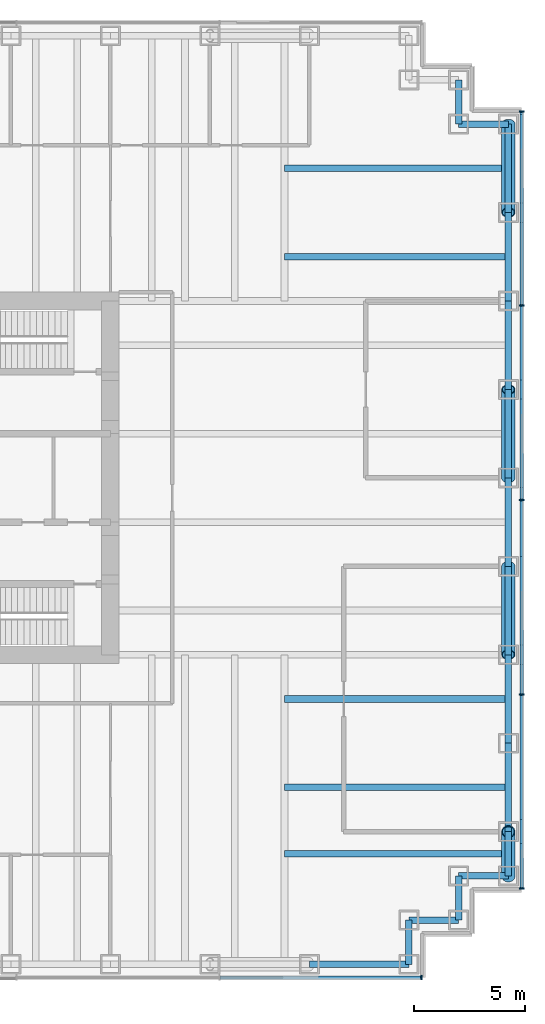
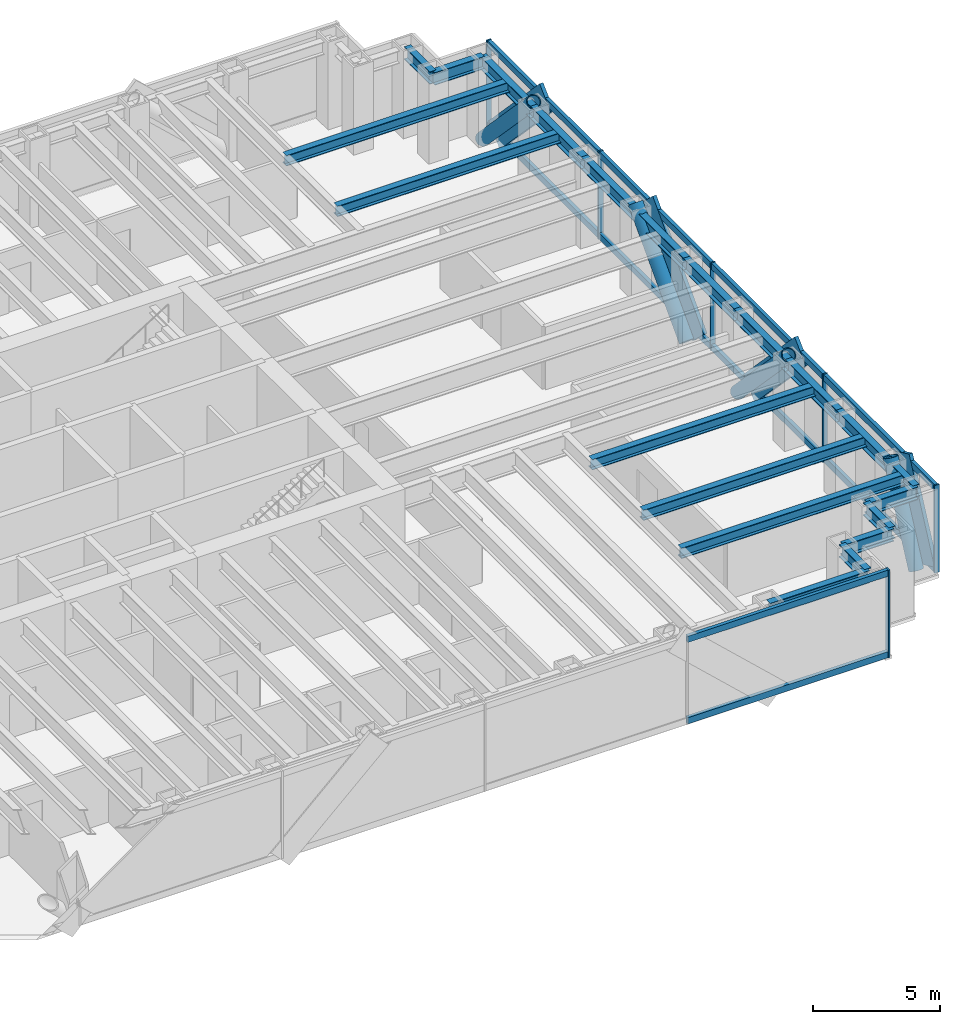
# One storey, part 8 of 16: 24 members, 21 beams, 2 elements without a shape of their own.
"""IFC4 building model written with IfcOpenShell, lengths in metres."""

from ifc_helpers import new_model, si_unit, direction, frame, origin, origin_2d, place, context, subcontext, project, spatial, rectangle, hollow_circle, i_section, extrude, material, material_profile, profile_set, type_object, element, aggregate, save


model = new_model("IFC4")

# Units and contexts
model_context = context("Model", 3, precision=1e-05, world=origin(), true_north=direction((0.0, 1.0)))
body_context = subcontext(model_context, "Body", "Model", "MODEL_VIEW")
ifc_project = project(units=[si_unit("LENGTHUNIT", "METRE"), si_unit("AREAUNIT", "SQUARE_METRE"), si_unit("VOLUMEUNIT", "CUBIC_METRE"), si_unit("PLANEANGLEUNIT", "RADIAN"), si_unit("MASSUNIT", "GRAM", prefix="KILO")], contexts=[model_context])

# Site, building, storey
site_placement = place(None, origin())
site = spatial("IfcSite", under=ifc_project, at=site_placement, CompositionType="ELEMENT")
building_placement = place(site_placement, origin())
building = spatial("IfcBuilding", under=site, at=building_placement, Name="Rheinbord Bourse Tower", CompositionType="ELEMENT")
storey_placement = place(building_placement, frame((0.0, 0.0, 219.39990234375)))
storey = spatial("IfcBuildingStorey", under=building, at=storey_placement, Name="L49", CompositionType="ELEMENT", Elevation=219.39990234375)

# Curtain wall, members
ifc_material_1 = material(Name="Dark glass and black aluminium", Category="aluminium")
curtain_wall_type = type_object("IfcCurtainWallType", Name="CW2 DARK GLASS CURTAIN WALL", PredefinedType="USERDEFINED", material=ifc_material_1)
curtain_wall_1_placement = place(storey_placement, origin())
curtain_wall_1 = element("IfcCurtainWall", 1, at=curtain_wall_1_placement, inside=storey, type_object=curtain_wall_type, Name="Curtain wall CW2 E L49", ObjectType="UNITISED CURTAIN WALL", PredefinedType="USERDEFINED")
ifc_material_2 = material(Name="Black anodised aluminium", Category="aluminium")
ifc_material_profile_1 = material_profile(ifc_material_2, rectangle(XDim=0.159912109375, YDim=1.2099609375, at=origin_2d()), Name="CW2 DIAGONAL MULLION 1210x160")
ifc_profile_set_1 = profile_set([ifc_material_profile_1], Name="Black anodised aluminium")
member_type_1 = type_object("IfcMemberType", Name="CW2 BLACK DIAGONAL MULLION", PredefinedType="USERDEFINED", material=ifc_profile_set_1)
member_1_placement = place(storey_placement, frame((72.60009765625, 20.0, 0.0), z_axis=(0.0, -0.689638355374, 0.72415394689), x_axis=(1.0, 0.0, 0.0)))
member_1 = element("IfcMember", 2, at=member_1_placement, type_object=member_type_1, Name="CW2 diagonal mullion a", ObjectType="DIAGONAL MULLION", PredefinedType="USERDEFINED", context=body_context, shape_type="SweptSolid", body=[
    extrude(rectangle(XDim=0.159912109375, YDim=1.2099609375, at=origin_2d()), origin(), (0.0, 0.0, 1.0), 5.800048828125),
])
member_2_placement = place(storey_placement, frame((72.60009765625, 24.0, 0.0), z_axis=(0.0, 0.689638355374, 0.72415394689), x_axis=(-1.0, 0.0, 0.0)))
member_2 = element("IfcMember", 3, at=member_2_placement, type_object=member_type_1, Name="CW2 diagonal mullion b", ObjectType="DIAGONAL MULLION", PredefinedType="USERDEFINED", context=body_context, shape_type="SweptSolid", body=[
    extrude(rectangle(XDim=0.159912109375, YDim=1.2099609375, at=origin_2d()), origin(), (0.0, 0.0, 1.0), 5.800048828125),
])
member_3_placement = place(storey_placement, frame((72.60009765625, 6.0, 0.0), z_axis=(0.0, 0.429917283348, 0.902868279141), x_axis=(-1.0, 0.0, 0.0)))
member_3 = element("IfcMember", 4, at=member_3_placement, type_object=member_type_1, Name="CW2 diagonal mullion c", ObjectType="DIAGONAL MULLION", PredefinedType="USERDEFINED", context=body_context, shape_type="SweptSolid", body=[
    extrude(rectangle(XDim=0.159912109375, YDim=1.2099609375, at=origin_2d()), origin(), (0.0, 0.0, 1.0), 4.652099609375),
])
member_4_placement = place(storey_placement, frame((72.60009765625, 40.0, 0.0), z_axis=(0.0, -0.689638355374, 0.72415394689), x_axis=(1.0, 0.0, 0.0)))
member_4 = element("IfcMember", 5, at=member_4_placement, type_object=member_type_1, Name="CW2 diagonal mullion d", ObjectType="DIAGONAL MULLION", PredefinedType="USERDEFINED", context=body_context, shape_type="SweptSolid", body=[
    extrude(rectangle(XDim=0.159912109375, YDim=1.2099609375, at=origin_2d()), origin(), (0.0, 0.0, 1.0), 5.800048828125),
])

# Curtain wall, member
curtain_wall_2_placement = place(storey_placement, origin())
curtain_wall_2 = element("IfcCurtainWall", 6, at=curtain_wall_2_placement, inside=storey, type_object=curtain_wall_type, Name="Curtain wall CW2 S L49", ObjectType="UNITISED CURTAIN WALL", PredefinedType="USERDEFINED")
ifc_material_3 = material(Name="Black anodised aluminium", Category="aluminium")
ifc_material_profile_2 = material_profile(ifc_material_3, rectangle(XDim=0.219970703125, YDim=0.070068359375, at=origin_2d()), Name="CW2 MULLION 70x220")
ifc_profile_set_2 = profile_set([ifc_material_profile_2], Name="Black anodised aluminium")
member_type_2 = type_object("IfcMemberType", Name="CW2 BLACK MULLION", PredefinedType="MULLION", material=ifc_profile_set_2)
member_5_placement = place(storey_placement, frame((68.06494140625, 1.39990234375, 0.0), z_axis=(0.0, 0.0, 1.0), x_axis=(0.0, 1.0, 0.0)))
member_5 = element("IfcMember", 7, at=member_5_placement, type_object=member_type_2, Name="CW2 mullion 8", PredefinedType="MULLION", context=body_context, shape_type="SweptSolid", body=[
    extrude(rectangle(XDim=0.219970703125, YDim=0.070068359375, at=origin_2d()), origin(), (0.0, 0.0, 1.0), 4.2001953125),
])

# Member
member_6_placement = place(storey_placement, frame((72.60009765625, 5.43505859375, 0.0), z_axis=(0.0, 0.0, 1.0), x_axis=(-1.0, 0.0, 0.0)))
member_6 = element("IfcMember", 8, at=member_6_placement, type_object=member_type_2, Name="CW2 mullion 1", PredefinedType="MULLION", context=body_context, shape_type="SweptSolid", body=[
    extrude(rectangle(XDim=0.219970703125, YDim=0.070068359375, at=origin_2d()), origin(), (0.0, 0.0, 1.0), 4.2001953125),
])

member_7_placement = place(storey_placement, frame((72.60009765625, 14.199951171875, 0.0), z_axis=(0.0, 0.0, 1.0), x_axis=(-1.0, 0.0, 0.0)))
member_7 = element("IfcMember", 9, at=member_7_placement, type_object=member_type_2, Name="CW2 mullion 2", PredefinedType="MULLION", context=body_context, shape_type="SweptSolid", body=[
    extrude(rectangle(XDim=0.219970703125, YDim=0.070068359375, at=origin_2d()), origin(), (0.0, 0.0, 1.0), 4.2001953125),
])

member_8_placement = place(storey_placement, frame((72.60009765625, 23.0, 0.0), z_axis=(0.0, 0.0, 1.0), x_axis=(-1.0, 0.0, 0.0)))
member_8 = element("IfcMember", 10, at=member_8_placement, type_object=member_type_2, Name="CW2 mullion 3", PredefinedType="MULLION", context=body_context, shape_type="SweptSolid", body=[
    extrude(rectangle(XDim=0.219970703125, YDim=0.070068359375, at=origin_2d()), origin(), (0.0, 0.0, 1.0), 4.2001953125),
])

member_9_placement = place(storey_placement, frame((72.60009765625, 31.800048828125, 0.0), z_axis=(0.0, 0.0, 1.0), x_axis=(-1.0, 0.0, 0.0)))
member_9 = element("IfcMember", 11, at=member_9_placement, type_object=member_type_2, Name="CW2 mullion 4", PredefinedType="MULLION", context=body_context, shape_type="SweptSolid", body=[
    extrude(rectangle(XDim=0.219970703125, YDim=0.070068359375, at=origin_2d()), origin(), (0.0, 0.0, 1.0), 4.2001953125),
])

member_10_placement = place(storey_placement, frame((72.60009765625, 40.56494140625, 0.0), z_axis=(0.0, 0.0, 1.0), x_axis=(-1.0, 0.0, 0.0)))
member_10 = element("IfcMember", 12, at=member_10_placement, type_object=member_type_2, Name="CW2 mullion 5", PredefinedType="MULLION", context=body_context, shape_type="SweptSolid", body=[
    extrude(rectangle(XDim=0.219970703125, YDim=0.070068359375, at=origin_2d()), origin(), (0.0, 0.0, 1.0), 4.2001953125),
])

ifc_material_4 = material(Name="Black anodised aluminium", Category="aluminium")
ifc_material_profile_3 = material_profile(ifc_material_4, rectangle(XDim=0.159912109375, YDim=0.300048828125, at=origin_2d()), Name="CW2 TRANSOM 300x160")
ifc_profile_set_3 = profile_set([ifc_material_profile_3], Name="Black anodised aluminium")
member_type_3 = type_object("IfcMemberType", Name="CW2 BLACK TRANSOM", PredefinedType="USERDEFINED", material=ifc_profile_set_3)
member_11_placement = place(storey_placement, frame((58.963623046875, 1.39990234375, 0.150146484375), z_axis=(1.0, 0.0, 0.0), x_axis=(0.0, 1.0, 0.0)))
member_11 = element("IfcMember", 13, at=member_11_placement, type_object=member_type_3, Name="CW2 transom 7.1", ObjectType="TRANSOM", PredefinedType="USERDEFINED", context=body_context, shape_type="SweptSolid", body=[
    extrude(rectangle(XDim=0.159912109375, YDim=0.300048828125, at=origin_2d()), origin(), (0.0, 0.0, 1.0), 9.06640625),
])

member_12_placement = place(storey_placement, frame((58.963623046875, 1.39990234375, 4.050048828125), z_axis=(1.0, 0.0, 0.0), x_axis=(0.0, 1.0, 0.0)))
member_12 = element("IfcMember", 14, at=member_12_placement, type_object=member_type_3, Name="CW2 transom 7.2", ObjectType="TRANSOM", PredefinedType="USERDEFINED", context=body_context, shape_type="SweptSolid", body=[
    extrude(rectangle(XDim=0.159912109375, YDim=0.300048828125, at=origin_2d()), origin(), (0.0, 0.0, 1.0), 9.06640625),
])

aggregate(curtain_wall_2, [member_5, member_11, member_12])

member_13_placement = place(storey_placement, frame((72.60009765625, 5.469970703125, 0.150146484375), z_axis=(0.0, 1.0, 0.0), x_axis=(-1.0, 0.0, 0.0)))
member_13 = element("IfcMember", 15, at=member_13_placement, type_object=member_type_3, Name="CW2 transom 1.1", ObjectType="TRANSOM", PredefinedType="USERDEFINED", context=body_context, shape_type="SweptSolid", body=[
    extrude(rectangle(XDim=0.159912109375, YDim=0.300048828125, at=origin_2d()), origin(), (0.0, 0.0, 1.0), 8.695068359375),
])

member_14_placement = place(storey_placement, frame((72.60009765625, 5.469970703125, 4.050048828125), z_axis=(0.0, 1.0, 0.0), x_axis=(-1.0, 0.0, 0.0)))
member_14 = element("IfcMember", 16, at=member_14_placement, type_object=member_type_3, Name="CW2 transom 1.2", ObjectType="TRANSOM", PredefinedType="USERDEFINED", context=body_context, shape_type="SweptSolid", body=[
    extrude(rectangle(XDim=0.159912109375, YDim=0.300048828125, at=origin_2d()), origin(), (0.0, 0.0, 1.0), 8.695068359375),
])

member_15_placement = place(storey_placement, frame((72.60009765625, 14.235107421875, 0.150146484375), z_axis=(0.0, 1.0, 0.0), x_axis=(-1.0, 0.0, 0.0)))
member_15 = element("IfcMember", 17, at=member_15_placement, type_object=member_type_3, Name="CW2 transom 2.1", ObjectType="TRANSOM", PredefinedType="USERDEFINED", context=body_context, shape_type="SweptSolid", body=[
    extrude(rectangle(XDim=0.159912109375, YDim=0.300048828125, at=origin_2d()), origin(), (0.0, 0.0, 1.0), 8.72998046875),
])

member_16_placement = place(storey_placement, frame((72.60009765625, 14.235107421875, 4.050048828125), z_axis=(0.0, 1.0, 0.0), x_axis=(-1.0, 0.0, 0.0)))
member_16 = element("IfcMember", 18, at=member_16_placement, type_object=member_type_3, Name="CW2 transom 2.2", ObjectType="TRANSOM", PredefinedType="USERDEFINED", context=body_context, shape_type="SweptSolid", body=[
    extrude(rectangle(XDim=0.159912109375, YDim=0.300048828125, at=origin_2d()), origin(), (0.0, 0.0, 1.0), 8.72998046875),
])

member_17_placement = place(storey_placement, frame((72.60009765625, 23.034912109375, 0.150146484375), z_axis=(0.0, 1.0, 0.0), x_axis=(-1.0, 0.0, 0.0)))
member_17 = element("IfcMember", 19, at=member_17_placement, type_object=member_type_3, Name="CW2 transom 3.1", ObjectType="TRANSOM", PredefinedType="USERDEFINED", context=body_context, shape_type="SweptSolid", body=[
    extrude(rectangle(XDim=0.159912109375, YDim=0.300048828125, at=origin_2d()), origin(), (0.0, 0.0, 1.0), 8.72998046875),
])

member_18_placement = place(storey_placement, frame((72.60009765625, 23.034912109375, 4.050048828125), z_axis=(0.0, 1.0, 0.0), x_axis=(-1.0, 0.0, 0.0)))
member_18 = element("IfcMember", 20, at=member_18_placement, type_object=member_type_3, Name="CW2 transom 3.2", ObjectType="TRANSOM", PredefinedType="USERDEFINED", context=body_context, shape_type="SweptSolid", body=[
    extrude(rectangle(XDim=0.159912109375, YDim=0.300048828125, at=origin_2d()), origin(), (0.0, 0.0, 1.0), 8.72998046875),
])

member_19_placement = place(storey_placement, frame((72.60009765625, 31.8349609375, 0.150146484375), z_axis=(0.0, 1.0, 0.0), x_axis=(-1.0, 0.0, 0.0)))
member_19 = element("IfcMember", 21, at=member_19_placement, type_object=member_type_3, Name="CW2 transom 4.1", ObjectType="TRANSOM", PredefinedType="USERDEFINED", context=body_context, shape_type="SweptSolid", body=[
    extrude(rectangle(XDim=0.159912109375, YDim=0.300048828125, at=origin_2d()), origin(), (0.0, 0.0, 1.0), 8.695068359375),
])

member_20_placement = place(storey_placement, frame((72.60009765625, 31.8349609375, 4.050048828125), z_axis=(0.0, 1.0, 0.0), x_axis=(-1.0, 0.0, 0.0)))
member_20 = element("IfcMember", 22, at=member_20_placement, type_object=member_type_3, Name="CW2 transom 4.2", ObjectType="TRANSOM", PredefinedType="USERDEFINED", context=body_context, shape_type="SweptSolid", body=[
    extrude(rectangle(XDim=0.159912109375, YDim=0.300048828125, at=origin_2d()), origin(), (0.0, 0.0, 1.0), 8.695068359375),
])

aggregate(curtain_wall_1, [member_6, member_7, member_8, member_9, member_10, member_13, member_14, member_15, member_16, member_17, member_18, member_19, member_20, member_1, member_2, member_3, member_4])

# Members
ifc_material_5 = material(Name="Steel S460", Category="steel")
ifc_material_profile_4 = material_profile(ifc_material_5, hollow_circle(Radius=0.304931640625, WallThickness=0.0400390625, at=origin_2d()), Name="CHS 610x40")
ifc_profile_set_4 = profile_set([ifc_material_profile_4], Name="Steel S460")
member_type_4 = type_object("IfcMemberType", Name="MEGABRACE CHS 610x40", PredefinedType="BRACE", material=ifc_profile_set_4)
for number, where, z_axis, x_axis, name in (
    (23, (72.0, 20.0, 0.0), (0.0, -0.689638355374, 0.72415394689), (1.0, 0.0, 0.0), "Megabrace E face line a L49"),
    (24, (72.0, 24.0, 0.0), (0.0, 0.689638355374, 0.72415394689), (-1.0, 0.0, 0.0), "Megabrace E face line b L49"),
):
    element("IfcMember", number, at=place(storey_placement, frame(where, z_axis=z_axis, x_axis=x_axis)), inside=storey, type_object=member_type_4, Name=name, PredefinedType="BRACE", context=body_context, shape_type="SweptSolid", body=[
        extrude(hollow_circle(Radius=0.304931640625, WallThickness=0.0400390625, at=origin_2d()), origin(), (0.0, 0.0, 1.0), 5.800048828125),
    ])
member_21_placement = place(storey_placement, frame((72.0, 6.0, 0.0), z_axis=(0.0, 0.429917283348, 0.902868279141), x_axis=(-1.0, 0.0, 0.0)))
element("IfcMember", 25, at=member_21_placement, inside=storey, type_object=member_type_4, Name="Megabrace E face line c L49", PredefinedType="BRACE", context=body_context, shape_type="SweptSolid", body=[
    extrude(hollow_circle(Radius=0.304931640625, WallThickness=0.0400390625, at=origin_2d()), origin(), (0.0, 0.0, 1.0), 4.652099609375),
])
member_22_placement = place(storey_placement, frame((72.0, 40.0, 0.0), z_axis=(0.0, -0.689638355374, 0.72415394689), x_axis=(1.0, 0.0, 0.0)))
element("IfcMember", 26, at=member_22_placement, inside=storey, type_object=member_type_4, Name="Megabrace E face line d L49", PredefinedType="BRACE", context=body_context, shape_type="SweptSolid", body=[
    extrude(hollow_circle(Radius=0.304931640625, WallThickness=0.0400390625, at=origin_2d()), origin(), (0.0, 0.0, 1.0), 5.800048828125),
])

# Beams
ifc_material_6 = material(Name="Steel S460", Category="steel")
ifc_material_profile_5 = material_profile(ifc_material_6, i_section(OverallWidth=0.300048828125, OverallDepth=0.60009765625, WebThickness=0.015380859375, FlangeThickness=0.030029296875, at=origin_2d()), Name="HEB 600")
ifc_profile_set_5 = profile_set([ifc_material_profile_5], Name="Steel S460")
beam_type_1 = type_object("IfcBeamType", Name="SPANDREL HEB 600", PredefinedType="SPANDREL", material=ifc_profile_set_5)
beam_1_placement = place(storey_placement, frame((63.0, 2.0, 3.739990234375), z_axis=(1.0, 0.0, 0.0), x_axis=(0.0, 1.0, 0.0)))
element("IfcBeam", 27, at=beam_1_placement, inside=storey, type_object=beam_type_1, Name="Spandrel S-63-SE-E under L50", PredefinedType="SPANDREL", context=body_context, shape_type="SweptSolid", body=[
    extrude(i_section(OverallWidth=0.300048828125, OverallDepth=0.60009765625, WebThickness=0.015380859375, FlangeThickness=0.030029296875, at=origin_2d()), origin(), (0.0, 0.0, 1.0), 4.5),
])
beam_2_placement = place(storey_placement, frame((67.5, 2.0, 3.739990234375), z_axis=(0.0, 1.0, 0.0), x_axis=(-1.0, 0.0, 0.0)))
element("IfcBeam", 28, at=beam_2_placement, inside=storey, type_object=beam_type_1, Name="Spandrel SE-E-SE-D under L50", PredefinedType="SPANDREL", context=body_context, shape_type="SweptSolid", body=[
    extrude(i_section(OverallWidth=0.300048828125, OverallDepth=0.60009765625, WebThickness=0.015380859375, FlangeThickness=0.030029296875, at=origin_2d()), origin(), (0.0, 0.0, 1.0), 2.0),
])
beam_3_placement = place(storey_placement, frame((67.5, 4.0, 3.739990234375), z_axis=(1.0, 0.0, 0.0), x_axis=(0.0, 1.0, 0.0)))
element("IfcBeam", 29, at=beam_3_placement, inside=storey, type_object=beam_type_1, Name="Spandrel SE-D-SE-C under L50", PredefinedType="SPANDREL", context=body_context, shape_type="SweptSolid", body=[
    extrude(i_section(OverallWidth=0.300048828125, OverallDepth=0.60009765625, WebThickness=0.015380859375, FlangeThickness=0.030029296875, at=origin_2d()), origin(), (0.0, 0.0, 1.0), 2.25),
])
beam_4_placement = place(storey_placement, frame((69.75, 4.0, 3.739990234375), z_axis=(0.0, 1.0, 0.0), x_axis=(-1.0, 0.0, 0.0)))
element("IfcBeam", 30, at=beam_4_placement, inside=storey, type_object=beam_type_1, Name="Spandrel SE-C-SE-B under L50", PredefinedType="SPANDREL", context=body_context, shape_type="SweptSolid", body=[
    extrude(i_section(OverallWidth=0.300048828125, OverallDepth=0.60009765625, WebThickness=0.015380859375, FlangeThickness=0.030029296875, at=origin_2d()), origin(), (0.0, 0.0, 1.0), 2.0),
])
beam_5_placement = place(storey_placement, frame((69.75, 6.0, 3.739990234375), z_axis=(1.0, 0.0, 0.0), x_axis=(0.0, 1.0, 0.0)))
element("IfcBeam", 31, at=beam_5_placement, inside=storey, type_object=beam_type_1, Name="Spandrel SE-B-SE-A under L50", PredefinedType="SPANDREL", context=body_context, shape_type="SweptSolid", body=[
    extrude(i_section(OverallWidth=0.300048828125, OverallDepth=0.60009765625, WebThickness=0.015380859375, FlangeThickness=0.030029296875, at=origin_2d()), origin(), (0.0, 0.0, 1.0), 2.25),
])
beam_6_placement = place(storey_placement, frame((72.0, 6.0, 3.739990234375), z_axis=(0.0, 1.0, 0.0), x_axis=(-1.0, 0.0, 0.0)))
element("IfcBeam", 32, at=beam_6_placement, inside=storey, type_object=beam_type_1, Name="Spandrel SE-A-E-8 under L50", PredefinedType="SPANDREL", context=body_context, shape_type="SweptSolid", body=[
    extrude(i_section(OverallWidth=0.300048828125, OverallDepth=0.60009765625, WebThickness=0.015380859375, FlangeThickness=0.030029296875, at=origin_2d()), origin(), (0.0, 0.0, 1.0), 2.0),
])
for number, where, z_axis, x_axis, name in (
    (33, (72.0, 8.0, 3.739990234375), (0.0, 1.0, 0.0), (-1.0, 0.0, 0.0), "Spandrel E-8-E-12 under L50"),
    (34, (72.0, 12.0, 3.739990234375), (0.0, 1.0, 0.0), (-1.0, 0.0, 0.0), "Spandrel E-12-E-16 under L50"),
    (35, (72.0, 16.0, 3.739990234375), (0.0, 1.0, 0.0), (-1.0, 0.0, 0.0), "Spandrel E-16-E-20 under L50"),
    (36, (72.0, 20.0, 3.739990234375), (0.0, 1.0, 0.0), (-1.0, 0.0, 0.0), "Spandrel E-20-E-24 under L50"),
    (37, (72.0, 24.0, 3.739990234375), (0.0, 1.0, 0.0), (-1.0, 0.0, 0.0), "Spandrel E-24-E-28 under L50"),
    (38, (72.0, 28.0, 3.739990234375), (0.0, 1.0, 0.0), (-1.0, 0.0, 0.0), "Spandrel E-28-E-32 under L50"),
    (39, (72.0, 32.0, 3.739990234375), (0.0, 1.0, 0.0), (-1.0, 0.0, 0.0), "Spandrel E-32-E-36 under L50"),
    (40, (72.0, 36.0, 3.739990234375), (0.0, 1.0, 0.0), (-1.0, 0.0, 0.0), "Spandrel E-36-NE-A under L50"),
):
    element("IfcBeam", number, at=place(storey_placement, frame(where, z_axis=z_axis, x_axis=x_axis)), inside=storey, type_object=beam_type_1, Name=name, PredefinedType="SPANDREL", context=body_context, shape_type="SweptSolid", body=[
        extrude(i_section(OverallWidth=0.300048828125, OverallDepth=0.60009765625, WebThickness=0.015380859375, FlangeThickness=0.030029296875, at=origin_2d()), origin(), (0.0, 0.0, 1.0), 4.0),
    ])
beam_7_placement = place(storey_placement, frame((72.0, 40.0, 3.739990234375), z_axis=(-1.0, 0.0, 0.0), x_axis=(0.0, -1.0, 0.0)))
element("IfcBeam", 41, at=beam_7_placement, inside=storey, type_object=beam_type_1, Name="Spandrel NE-A-NE-B under L50", PredefinedType="SPANDREL", context=body_context, shape_type="SweptSolid", body=[
    extrude(i_section(OverallWidth=0.300048828125, OverallDepth=0.60009765625, WebThickness=0.015380859375, FlangeThickness=0.030029296875, at=origin_2d()), origin(), (0.0, 0.0, 1.0), 2.25),
])
beam_8_placement = place(storey_placement, frame((69.75, 40.0, 3.739990234375), z_axis=(0.0, 1.0, 0.0), x_axis=(-1.0, 0.0, 0.0)))
element("IfcBeam", 42, at=beam_8_placement, inside=storey, type_object=beam_type_1, Name="Spandrel NE-B-NE-C under L50", PredefinedType="SPANDREL", context=body_context, shape_type="SweptSolid", body=[
    extrude(i_section(OverallWidth=0.300048828125, OverallDepth=0.60009765625, WebThickness=0.015380859375, FlangeThickness=0.030029296875, at=origin_2d()), origin(), (0.0, 0.0, 1.0), 2.0),
])
ifc_material_7 = material(Name="Steel S460", Category="steel")
ifc_material_profile_6 = material_profile(ifc_material_7, i_section(OverallWidth=0.300048828125, OverallDepth=0.5, WebThickness=0.014404296875, FlangeThickness=0.028076171875, at=origin_2d()), Name="HEB 500")
ifc_profile_set_6 = profile_set([ifc_material_profile_6], Name="Steel S460")
beam_type_2 = type_object("IfcBeamType", Name="TIE BEAM HEB 500", PredefinedType="JOIST", material=ifc_profile_set_6)
for number, where, z_axis, x_axis, name in (
    (43, (61.875, 7.0, 3.7900390625), (1.0, 0.0, 0.0), (0.0, 1.0, 0.0), "Tie east 7 L50"),
    (44, (61.875, 10.0, 3.7900390625), (1.0, 0.0, 0.0), (0.0, 1.0, 0.0), "Tie east 10 L50"),
    (45, (61.875, 14.0, 3.7900390625), (1.0, 0.0, 0.0), (0.0, 1.0, 0.0), "Tie east 14 L50"),
    (46, (61.875, 34.0, 3.7900390625), (1.0, 0.0, 0.0), (0.0, 1.0, 0.0), "Tie east 34 L50"),
    (47, (61.875, 38.0, 3.7900390625), (1.0, 0.0, 0.0), (0.0, 1.0, 0.0), "Tie east 38 L50"),
):
    element("IfcBeam", number, at=place(storey_placement, frame(where, z_axis=z_axis, x_axis=x_axis)), inside=storey, type_object=beam_type_2, Name=name, PredefinedType="JOIST", context=body_context, shape_type="SweptSolid", body=[
        extrude(i_section(OverallWidth=0.300048828125, OverallDepth=0.5, WebThickness=0.014404296875, FlangeThickness=0.028076171875, at=origin_2d()), origin(), (0.0, 0.0, 1.0), 10.125),
    ])

save(model, "model.ifc")
